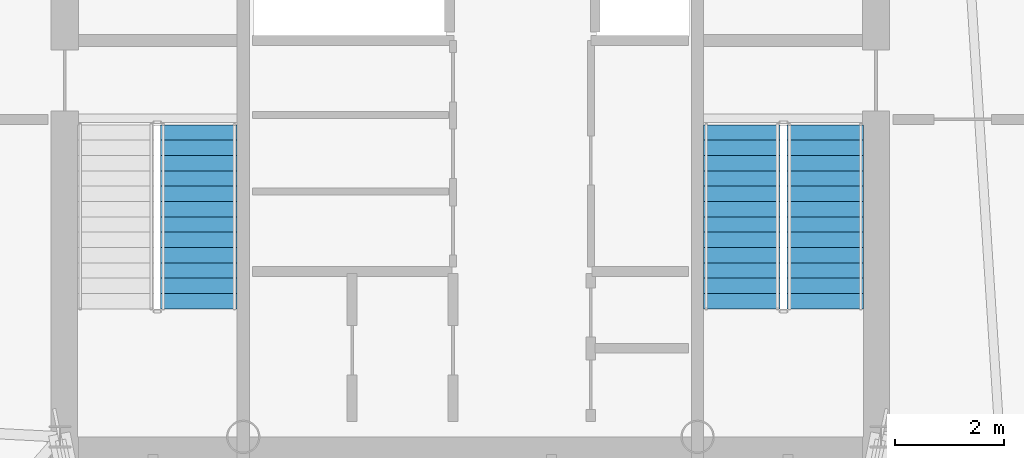
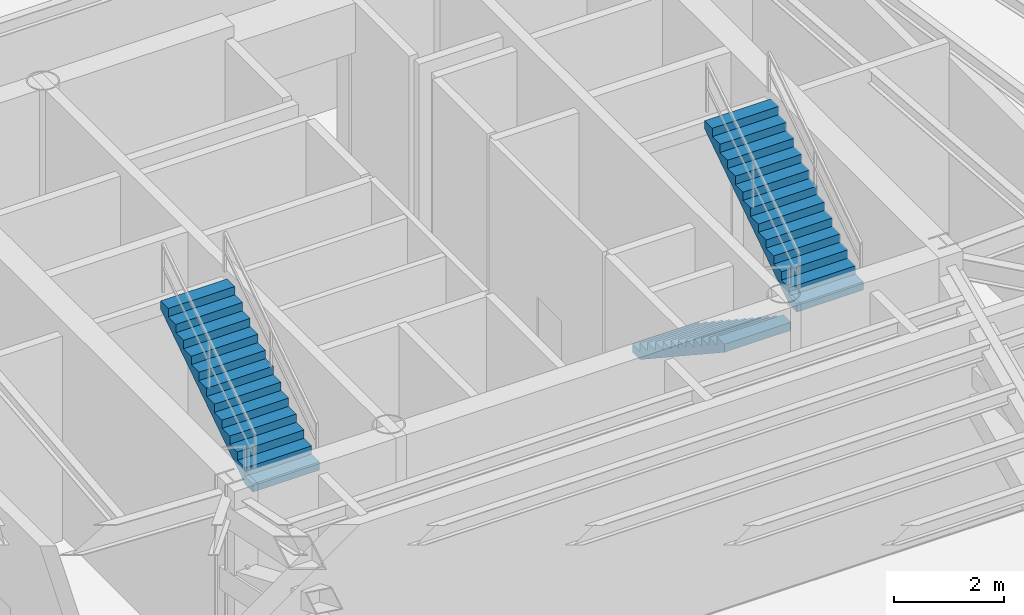
# One storey, part 7 of 12: 3 stair flights, 2 elements without a shape of their own.
"""IFC4 building model written with IfcOpenShell, lengths in metres."""

from ifc_helpers import new_model, si_unit, direction, frame, origin, place, context, subcontext, project, spatial, polyline, outline, extrude, material, type_object, element, aggregate, save


model = new_model("IFC4")

# Units and contexts
model_context = context("Model", 3, precision=1e-05, world=origin(), true_north=direction((0.0, 1.0)))
body_context = subcontext(model_context, "Body", "Model", "MODEL_VIEW")
ifc_project = project(units=[si_unit("LENGTHUNIT", "METRE"), si_unit("AREAUNIT", "SQUARE_METRE"), si_unit("VOLUMEUNIT", "CUBIC_METRE"), si_unit("PLANEANGLEUNIT", "RADIAN"), si_unit("MASSUNIT", "GRAM", prefix="KILO")], contexts=[model_context])

# Site, building, storey
site_placement = place(None, origin())
site = spatial("IfcSite", under=ifc_project, at=site_placement, CompositionType="ELEMENT")
building_placement = place(site_placement, origin())
building = spatial("IfcBuilding", under=site, at=building_placement, Name="Caelisora Broadcast Tower", CompositionType="ELEMENT")
storey_placement = place(building_placement, frame((0.0, 0.0, 150.050048828125)))
storey = spatial("IfcBuildingStorey", under=building, at=storey_placement, Name="L39", CompositionType="ELEMENT", Elevation=150.050048828125)

# Stair, stair flight
ifc_material = material(Name="Concrete 40 MPa (AS 3600 N40)", Category="concrete")
stair_type_1 = type_object("IfcStairType", Name="ST-1", PredefinedType="HALF_TURN_STAIR", material=ifc_material)
stair_1_placement = place(storey_placement, origin())
stair_1 = element("IfcStair", 1, at=stair_1_placement, inside=storey, type_object=stair_type_1, Name="L39 West Fire-Isolated Tower Stair", PredefinedType="HALF_TURN_STAIR")
stair_flight_type = type_object("IfcStairFlightType", Name="STF-3", PredefinedType="STRAIGHT", material=ifc_material)
stair_flight_1_placement = place(storey_placement, frame((33.0400390625, 19.739990234375, 2.39990234375), z_axis=(0.0, 0.0, 1.0), x_axis=(0.0, 1.0, 0.0)))
stair_flight_1 = element("IfcStairFlight", 2, at=stair_flight_1_placement, type_object=stair_flight_type, Name="ST-1 flight 2", NumberOfRisers=13, NumberOfTreads=12, PredefinedType="STRAIGHT", RiserHeight=0.184615385, TreadLength=0.28, context=body_context, shape_type="SweptSolid", body=[
    extrude(outline(polyline([(0.0, 0.0), (0.0, 0.1845703125), (0.280029296875, 0.1845703125), (0.280029296875, 0.369140625), (0.56005859375, 0.369140625), (0.56005859375, 0.553955078125), (0.840087890625, 0.553955078125), (0.840087890625, 0.738525390625), (1.1201171875, 0.738525390625), (1.1201171875, 0.923095703125), (1.39990234375, 0.923095703125), (1.39990234375, 1.107666015625), (1.679931640625, 1.107666015625), (1.679931640625, 1.292236328125), (1.9599609375, 1.292236328125), (1.9599609375, 1.476806640625), (2.239990234375, 1.476806640625), (2.239990234375, 1.66162109375), (2.52001953125, 1.66162109375), (2.52001953125, 1.84619140625), (2.800048828125, 1.84619140625), (2.800048828125, 2.03076171875), (3.080078125, 2.03076171875), (3.080078125, 2.21533203125), (3.360107421875, 2.21533203125), (3.360107421875, 2.39990234375), (3.360107421875, 2.035888671875), (0.272216796875, 0.0), (0.0, 0.0)])), frame((0.0, 0.699951171875, 0.0), z_axis=(0.0, -1.0, 0.0), x_axis=(1.0, 0.0, 0.0)), (0.0, 0.0, 1.0), 1.39990234375),
])
aggregate(stair_1, [stair_flight_1])

# Stair, stair flights
stair_type_2 = type_object("IfcStairType", Name="ST-2", PredefinedType="HALF_TURN_STAIR", material=ifc_material)
stair_2_placement = place(storey_placement, origin())
stair_2 = element("IfcStair", 3, at=stair_2_placement, inside=storey, type_object=stair_type_2, Name="L39 East Fire-Isolated Tower Stair", PredefinedType="HALF_TURN_STAIR")
stair_flight_2_placement = place(storey_placement, frame((42.9599609375, 23.10009765625, 0.0), z_axis=(0.0, 0.0, 1.0), x_axis=(0.0, -1.0, 0.0)))
stair_flight_2 = element("IfcStairFlight", 4, at=stair_flight_2_placement, type_object=stair_flight_type, Name="ST-2 flight 1", NumberOfRisers=13, NumberOfTreads=12, PredefinedType="STRAIGHT", RiserHeight=0.184615385, TreadLength=0.28, context=body_context, shape_type="SweptSolid", body=[
    extrude(outline(polyline([(0.0, 0.0), (0.0, 0.1845703125), (0.280029296875, 0.1845703125), (0.280029296875, 0.369140625), (0.56005859375, 0.369140625), (0.56005859375, 0.553955078125), (0.840087890625, 0.553955078125), (0.840087890625, 0.738525390625), (1.1201171875, 0.738525390625), (1.1201171875, 0.923095703125), (1.39990234375, 0.923095703125), (1.39990234375, 1.107666015625), (1.679931640625, 1.107666015625), (1.679931640625, 1.292236328125), (1.9599609375, 1.292236328125), (1.9599609375, 1.476806640625), (2.239990234375, 1.476806640625), (2.239990234375, 1.66162109375), (2.52001953125, 1.66162109375), (2.52001953125, 1.84619140625), (2.800048828125, 1.84619140625), (2.800048828125, 2.03076171875), (3.080078125, 2.03076171875), (3.080078125, 2.21533203125), (3.360107421875, 2.21533203125), (3.360107421875, 2.39990234375), (3.360107421875, 2.035888671875), (0.272216796875, 0.0), (0.0, 0.0)])), frame((0.0, 0.699951171875, 0.0), z_axis=(0.0, -1.0, 0.0), x_axis=(1.0, 0.0, 0.0)), (0.0, 0.0, 1.0), 1.39990234375),
])
stair_flight_3_placement = place(storey_placement, frame((44.47998046875, 19.739990234375, 2.39990234375), z_axis=(0.0, 0.0, 1.0), x_axis=(0.0, 1.0, 0.0)))
stair_flight_3 = element("IfcStairFlight", 5, at=stair_flight_3_placement, type_object=stair_flight_type, Name="ST-2 flight 2", NumberOfRisers=13, NumberOfTreads=12, PredefinedType="STRAIGHT", RiserHeight=0.184615385, TreadLength=0.28, context=body_context, shape_type="SweptSolid", body=[
    extrude(outline(polyline([(0.0, 0.0), (0.0, 0.1845703125), (0.280029296875, 0.1845703125), (0.280029296875, 0.369140625), (0.56005859375, 0.369140625), (0.56005859375, 0.553955078125), (0.840087890625, 0.553955078125), (0.840087890625, 0.738525390625), (1.1201171875, 0.738525390625), (1.1201171875, 0.923095703125), (1.39990234375, 0.923095703125), (1.39990234375, 1.107666015625), (1.679931640625, 1.107666015625), (1.679931640625, 1.292236328125), (1.9599609375, 1.292236328125), (1.9599609375, 1.476806640625), (2.239990234375, 1.476806640625), (2.239990234375, 1.66162109375), (2.52001953125, 1.66162109375), (2.52001953125, 1.84619140625), (2.800048828125, 1.84619140625), (2.800048828125, 2.03076171875), (3.080078125, 2.03076171875), (3.080078125, 2.21533203125), (3.360107421875, 2.21533203125), (3.360107421875, 2.39990234375), (3.360107421875, 2.035888671875), (0.272216796875, 0.0), (0.0, 0.0)])), frame((0.0, 0.699951171875, 0.0), z_axis=(0.0, -1.0, 0.0), x_axis=(1.0, 0.0, 0.0)), (0.0, 0.0, 1.0), 1.39990234375),
])
aggregate(stair_2, [stair_flight_2, stair_flight_3])

save(model, "model.ifc")
